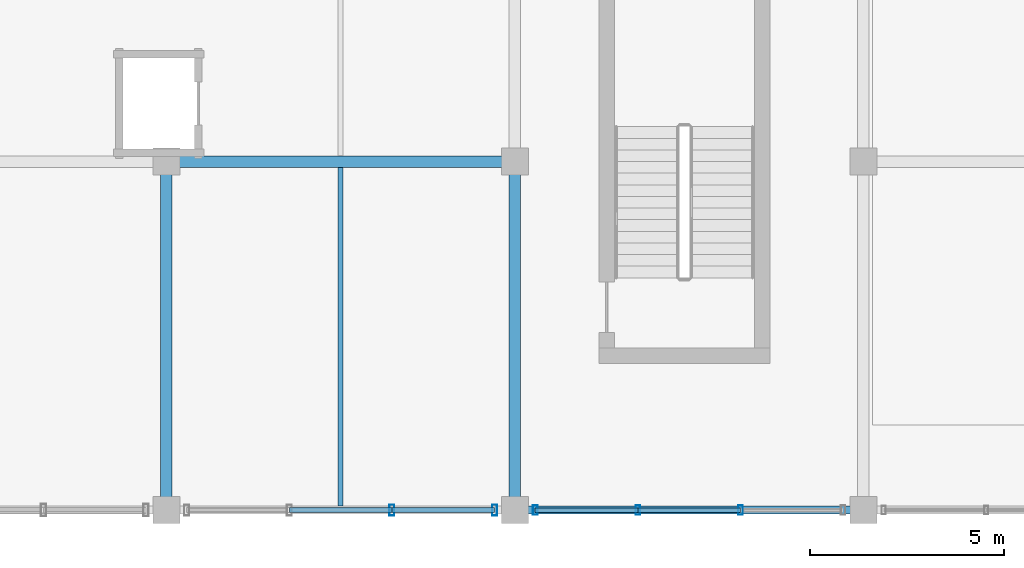
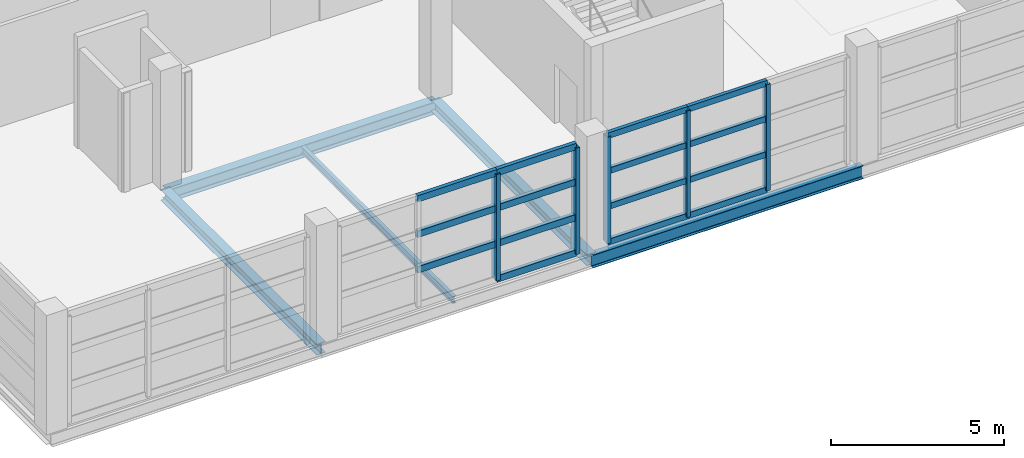
# One storey, part 58 of 136: 20 members, 5 beams, 2 elements without a shape of their own.
"""IFC4 building model written with IfcOpenShell, lengths in metres."""

from ifc_helpers import new_model, si_unit, direction, frame, origin, origin_2d, place, context, subcontext, project, spatial, hollow_rectangle, i_section, extrude, material, material_profile, profile_set, type_object, element, aggregate, save


model = new_model("IFC4")

# Units and contexts
model_context = context("Model", 3, precision=1e-05, world=origin(), true_north=direction((0.0, 1.0)))
body_context = subcontext(model_context, "Body", "Model", "MODEL_VIEW")
ifc_project = project(units=[si_unit("LENGTHUNIT", "METRE"), si_unit("AREAUNIT", "SQUARE_METRE"), si_unit("VOLUMEUNIT", "CUBIC_METRE"), si_unit("PLANEANGLEUNIT", "RADIAN"), si_unit("MASSUNIT", "GRAM", prefix="KILO")], contexts=[model_context])

# Site, building, storey
site_placement = place(None, origin())
site = spatial("IfcSite", under=ifc_project, at=site_placement, CompositionType="ELEMENT")
building_placement = place(site_placement, origin())
building = spatial("IfcBuilding", under=site, at=building_placement, Name="Chuanluo Vaults Station", CompositionType="ELEMENT")
storey_placement = place(building_placement, frame((0.0, 0.0, 6.60009765625)))
storey = spatial("IfcBuildingStorey", under=building, at=storey_placement, Name="L01", CompositionType="ELEMENT", Elevation=6.60009765625)

# Beams
ifc_material_1 = material(Name="Steel Q355C", Category="steel")
ifc_material_profile_1 = material_profile(ifc_material_1, i_section(OverallWidth=0.300048828125, OverallDepth=0.389892578125, WebThickness=0.010009765625, FlangeThickness=0.01611328125, FilletRadius=0.02001953125, at=origin_2d()))
ifc_profile_set_1 = profile_set([ifc_material_profile_1], Name="Steel Q355C")
beam_type_1 = type_object("IfcBeamType", Name="BM-GRD-400", PredefinedType="BEAM", material=ifc_profile_set_1)
for number, where, z_axis, x_axis, name in (
    (1, (145.0, 0.0, -0.43505859375), (0.0, 1.0, 0.0), (-1.0, 0.0, 0.0), "Floor girder BM:GY:L01:0466"),
    (2, (154.0, 0.0, -0.43505859375), (0.0, 1.0, 0.0), (-1.0, 0.0, 0.0), "Floor girder BM:GY:L01:0477"),
):
    element("IfcBeam", number, at=place(storey_placement, frame(where, z_axis=z_axis, x_axis=x_axis)), inside=storey, type_object=beam_type_1, Name=name, PredefinedType="BEAM", context=body_context, shape_type="SweptSolid", body=[
        extrude(i_section(OverallWidth=0.300048828125, OverallDepth=0.389892578125, WebThickness=0.010009765625, FlangeThickness=0.01611328125, FilletRadius=0.02001953125, at=origin_2d()), origin(), (0.0, 0.0, 1.0), 9.0),
    ])
ifc_material_2 = material(Name="Steel Q355C", Category="steel")
ifc_material_profile_2 = material_profile(ifc_material_2, i_section(OverallWidth=0.300048828125, OverallDepth=0.43994140625, WebThickness=0.010986328125, FlangeThickness=0.01806640625, FilletRadius=0.02001953125, at=origin_2d()))
ifc_profile_set_2 = profile_set([ifc_material_profile_2], Name="Steel Q355C")
beam_type_2 = type_object("IfcBeamType", Name="BM-GRD-450", PredefinedType="USERDEFINED", material=ifc_profile_set_2)
beam_1_placement = place(storey_placement, frame((145.0, 9.0, -0.460205078125), z_axis=(1.0, 0.0, 0.0), x_axis=(0.0, 1.0, 0.0)))
element("IfcBeam", 3, at=beam_1_placement, inside=storey, type_object=beam_type_2, Name="Floor girder BM:GX:L01:0288", ObjectType="GIRDER", PredefinedType="USERDEFINED", context=body_context, shape_type="SweptSolid", body=[
    extrude(i_section(OverallWidth=0.300048828125, OverallDepth=0.43994140625, WebThickness=0.010986328125, FlangeThickness=0.01806640625, FilletRadius=0.02001953125, at=origin_2d()), origin(), (0.0, 0.0, 1.0), 9.0),
])
ifc_material_3 = material(Name="Steel Q355C", Category="steel")
ifc_material_profile_3 = material_profile(ifc_material_3, i_section(OverallWidth=0.125, OverallDepth=0.25, WebThickness=0.006103515625, FlangeThickness=0.009033203125, FilletRadius=0.011962890625, at=origin_2d()))
ifc_profile_set_3 = profile_set([ifc_material_profile_3], Name="Steel Q355C")
beam_type_3 = type_object("IfcBeamType", Name="BM-SEC-250", PredefinedType="JOIST", material=ifc_profile_set_3)
beam_2_placement = place(storey_placement, frame((149.5, 0.107421875, -0.364990234375), z_axis=(0.0, 1.0, 0.0), x_axis=(-1.0, 0.0, 0.0)))
element("IfcBeam", 4, at=beam_2_placement, inside=storey, type_object=beam_type_3, Name="Composite secondary joist 0158", PredefinedType="JOIST", context=body_context, shape_type="SweptSolid", body=[
    extrude(i_section(OverallWidth=0.125, OverallDepth=0.25, WebThickness=0.006103515625, FlangeThickness=0.009033203125, FilletRadius=0.011962890625, at=origin_2d()), origin(), (0.0, 0.0, 1.0), 8.737548828125),
])
ifc_material_4 = material(Name="Steel Q355C", Category="steel")
ifc_material_profile_4 = material_profile(ifc_material_4, i_section(OverallWidth=0.205078125, OverallDepth=0.4599609375, WebThickness=0.009033203125, FlangeThickness=0.013916015625, FilletRadius=0.01611328125, at=origin_2d()))
ifc_profile_set_4 = profile_set([ifc_material_profile_4], Name="Steel Q355C")
beam_type_4 = type_object("IfcBeamType", Name="BM-SPN-450", PredefinedType="SPANDREL", material=ifc_profile_set_4)
beam_3_placement = place(storey_placement, frame((154.0, 0.0, -0.47021484375), z_axis=(1.0, 0.0, 0.0), x_axis=(0.0, 1.0, 0.0)))
element("IfcBeam", 5, at=beam_3_placement, inside=storey, type_object=beam_type_4, Name="Floor girder BM:GX:L01:0282", PredefinedType="SPANDREL", context=body_context, shape_type="SweptSolid", body=[
    extrude(i_section(OverallWidth=0.205078125, OverallDepth=0.4599609375, WebThickness=0.009033203125, FlangeThickness=0.013916015625, FilletRadius=0.01611328125, at=origin_2d()), origin(), (0.0, 0.0, 1.0), 9.0),
])

# Curtain wall, members
ifc_material_5 = material(Name="Anodised aluminium 6063-T6", Category="aluminium")
curtain_wall_type_1 = type_object("IfcCurtainWallType", Name="CW-SYS-11", PredefinedType="NOTDEFINED", material=ifc_material_5)
curtain_wall_1_placement = place(storey_placement, origin())
curtain_wall_1 = element("IfcCurtainWall", 6, at=curtain_wall_1_placement, inside=storey, type_object=curtain_wall_type_1, Name="Retail pavilion L01 facade CW", PredefinedType="NOTDEFINED")
ifc_material_6 = material(Name="Anodised aluminium 6063-T6", Category="aluminium")
ifc_material_profile_5 = material_profile(ifc_material_6, hollow_rectangle(XDim=0.1201171875, YDim=0.25, WallThickness=0.006103515625, at=origin_2d()))
ifc_profile_set_5 = profile_set([ifc_material_profile_5], Name="Anodised aluminium 6063-T6")
member_type_1 = type_object("IfcMemberType", Name="CWM-160", PredefinedType="MULLION", material=ifc_profile_set_5)
member_1_placement = place(storey_placement, frame((159.824951171875, 0.0, 0.0), z_axis=(0.0, 0.0, 1.0), x_axis=(-1.0, 0.0, 0.0)))
member_1 = element("IfcMember", 7, at=member_1_placement, type_object=member_type_1, Name="Retail pavilion L01 facade CW mullion 2", PredefinedType="MULLION", context=body_context, shape_type="SweptSolid", body=[
    extrude(hollow_rectangle(XDim=0.1201171875, YDim=0.25, WallThickness=0.006103515625, at=origin_2d()), origin(), (0.0, 0.0, 1.0), 3.75),
])
member_2_placement = place(storey_placement, frame((157.175048828125, 0.0, 0.0), z_axis=(0.0, 0.0, 1.0), x_axis=(-1.0, 0.0, 0.0)))
member_2 = element("IfcMember", 8, at=member_2_placement, type_object=member_type_1, Name="Retail pavilion L01 facade CW mullion 3", PredefinedType="MULLION", context=body_context, shape_type="SweptSolid", body=[
    extrude(hollow_rectangle(XDim=0.1201171875, YDim=0.25, WallThickness=0.006103515625, at=origin_2d()), origin(), (0.0, 0.0, 1.0), 3.75),
])
member_3_placement = place(storey_placement, frame((154.52490234375, 0.0, 0.0), z_axis=(0.0, 0.0, 1.0), x_axis=(-1.0, 0.0, 0.0)))
member_3 = element("IfcMember", 9, at=member_3_placement, type_object=member_type_1, Name="Retail pavilion L01 facade CW mullion 4", PredefinedType="MULLION", context=body_context, shape_type="SweptSolid", body=[
    extrude(hollow_rectangle(XDim=0.1201171875, YDim=0.25, WallThickness=0.006103515625, at=origin_2d()), origin(), (0.0, 0.0, 1.0), 3.75),
])

ifc_material_7 = material(Name="Anodised aluminium 6063-T6", Category="aluminium")
curtain_wall_type_2 = type_object("IfcCurtainWallType", Name="CW-SYS-10", PredefinedType="NOTDEFINED", material=ifc_material_7)
curtain_wall_2_placement = place(storey_placement, origin())
curtain_wall_2 = element("IfcCurtainWall", 10, at=curtain_wall_2_placement, inside=storey, type_object=curtain_wall_type_2, Name="Retail pavilion L01 facade CW", PredefinedType="NOTDEFINED")
ifc_material_8 = material(Name="Anodised aluminium 6063-T6", Category="aluminium")
ifc_material_profile_6 = material_profile(ifc_material_8, hollow_rectangle(XDim=0.1298828125, YDim=0.280029296875, WallThickness=0.007080078125, at=origin_2d()))
ifc_profile_set_6 = profile_set([ifc_material_profile_6], Name="Anodised aluminium 6063-T6")
member_type_2 = type_object("IfcMemberType", Name="CWM-180", PredefinedType="MULLION", material=ifc_profile_set_6)
member_4_placement = place(storey_placement, frame((153.47509765625, 0.0, 0.0), z_axis=(0.0, 0.0, 1.0), x_axis=(-1.0, 0.0, 0.0)))
member_4 = element("IfcMember", 11, at=member_4_placement, type_object=member_type_2, Name="Retail pavilion L01 facade CW mullion 1", PredefinedType="MULLION", context=body_context, shape_type="SweptSolid", body=[
    extrude(hollow_rectangle(XDim=0.1298828125, YDim=0.280029296875, WallThickness=0.007080078125, at=origin_2d()), origin(), (0.0, 0.0, 1.0), 3.75),
])
member_5_placement = place(storey_placement, frame((150.824951171875, 0.0, 0.0), z_axis=(0.0, 0.0, 1.0), x_axis=(-1.0, 0.0, 0.0)))
member_5 = element("IfcMember", 12, at=member_5_placement, type_object=member_type_2, Name="Retail pavilion L01 facade CW mullion 2", PredefinedType="MULLION", context=body_context, shape_type="SweptSolid", body=[
    extrude(hollow_rectangle(XDim=0.1298828125, YDim=0.280029296875, WallThickness=0.007080078125, at=origin_2d()), origin(), (0.0, 0.0, 1.0), 3.75),
])

# Member
ifc_material_9 = material(Name="Anodised aluminium 6063-T6", Category="aluminium")
ifc_material_profile_7 = material_profile(ifc_material_9, hollow_rectangle(XDim=0.1201171875, YDim=0.205078125, WallThickness=0.006103515625, at=origin_2d()))
ifc_profile_set_7 = profile_set([ifc_material_profile_7], Name="Anodised aluminium 6063-T6")
member_type_3 = type_object("IfcMemberType", Name="CWT-130", PredefinedType="USERDEFINED", material=ifc_profile_set_7)
member_6_placement = place(storey_placement, frame((159.824951171875, 0.0, 0.0), z_axis=(-1.0, 0.0, 0.0), x_axis=(0.0, -1.0, 0.0)))
member_6 = element("IfcMember", 13, at=member_6_placement, type_object=member_type_3, Name="Retail pavilion L01 facade CW transom 2.1", ObjectType="TRANSOM", PredefinedType="USERDEFINED", context=body_context, shape_type="SweptSolid", body=[
    extrude(hollow_rectangle(XDim=0.1201171875, YDim=0.205078125, WallThickness=0.006103515625, at=origin_2d()), origin(), (0.0, 0.0, 1.0), 2.64990234375),
])

member_7_placement = place(storey_placement, frame((159.824951171875, 0.0, 1.25), z_axis=(-1.0, 0.0, 0.0), x_axis=(0.0, -1.0, 0.0)))
member_7 = element("IfcMember", 14, at=member_7_placement, type_object=member_type_3, Name="Retail pavilion L01 facade CW transom 2.2", ObjectType="TRANSOM", PredefinedType="USERDEFINED", context=body_context, shape_type="SweptSolid", body=[
    extrude(hollow_rectangle(XDim=0.1201171875, YDim=0.205078125, WallThickness=0.006103515625, at=origin_2d()), origin(), (0.0, 0.0, 1.0), 2.64990234375),
])

member_8_placement = place(storey_placement, frame((159.824951171875, 0.0, 2.5), z_axis=(-1.0, 0.0, 0.0), x_axis=(0.0, -1.0, 0.0)))
member_8 = element("IfcMember", 15, at=member_8_placement, type_object=member_type_3, Name="Retail pavilion L01 facade CW transom 2.3", ObjectType="TRANSOM", PredefinedType="USERDEFINED", context=body_context, shape_type="SweptSolid", body=[
    extrude(hollow_rectangle(XDim=0.1201171875, YDim=0.205078125, WallThickness=0.006103515625, at=origin_2d()), origin(), (0.0, 0.0, 1.0), 2.64990234375),
])

member_9_placement = place(storey_placement, frame((159.824951171875, 0.0, 3.75), z_axis=(-1.0, 0.0, 0.0), x_axis=(0.0, -1.0, 0.0)))
member_9 = element("IfcMember", 16, at=member_9_placement, type_object=member_type_3, Name="Retail pavilion L01 facade CW transom 2.4", ObjectType="TRANSOM", PredefinedType="USERDEFINED", context=body_context, shape_type="SweptSolid", body=[
    extrude(hollow_rectangle(XDim=0.1201171875, YDim=0.205078125, WallThickness=0.006103515625, at=origin_2d()), origin(), (0.0, 0.0, 1.0), 2.64990234375),
])

member_10_placement = place(storey_placement, frame((157.175048828125, 0.0, 0.0), z_axis=(-1.0, 0.0, 0.0), x_axis=(0.0, -1.0, 0.0)))
member_10 = element("IfcMember", 17, at=member_10_placement, type_object=member_type_3, Name="Retail pavilion L01 facade CW transom 3.1", ObjectType="TRANSOM", PredefinedType="USERDEFINED", context=body_context, shape_type="SweptSolid", body=[
    extrude(hollow_rectangle(XDim=0.1201171875, YDim=0.205078125, WallThickness=0.006103515625, at=origin_2d()), origin(), (0.0, 0.0, 1.0), 2.650146484375),
])

member_11_placement = place(storey_placement, frame((157.175048828125, 0.0, 1.25), z_axis=(-1.0, 0.0, 0.0), x_axis=(0.0, -1.0, 0.0)))
member_11 = element("IfcMember", 18, at=member_11_placement, type_object=member_type_3, Name="Retail pavilion L01 facade CW transom 3.2", ObjectType="TRANSOM", PredefinedType="USERDEFINED", context=body_context, shape_type="SweptSolid", body=[
    extrude(hollow_rectangle(XDim=0.1201171875, YDim=0.205078125, WallThickness=0.006103515625, at=origin_2d()), origin(), (0.0, 0.0, 1.0), 2.650146484375),
])

member_12_placement = place(storey_placement, frame((157.175048828125, 0.0, 2.5), z_axis=(-1.0, 0.0, 0.0), x_axis=(0.0, -1.0, 0.0)))
member_12 = element("IfcMember", 19, at=member_12_placement, type_object=member_type_3, Name="Retail pavilion L01 facade CW transom 3.3", ObjectType="TRANSOM", PredefinedType="USERDEFINED", context=body_context, shape_type="SweptSolid", body=[
    extrude(hollow_rectangle(XDim=0.1201171875, YDim=0.205078125, WallThickness=0.006103515625, at=origin_2d()), origin(), (0.0, 0.0, 1.0), 2.650146484375),
])

member_13_placement = place(storey_placement, frame((157.175048828125, 0.0, 3.75), z_axis=(-1.0, 0.0, 0.0), x_axis=(0.0, -1.0, 0.0)))
member_13 = element("IfcMember", 20, at=member_13_placement, type_object=member_type_3, Name="Retail pavilion L01 facade CW transom 3.4", ObjectType="TRANSOM", PredefinedType="USERDEFINED", context=body_context, shape_type="SweptSolid", body=[
    extrude(hollow_rectangle(XDim=0.1201171875, YDim=0.205078125, WallThickness=0.006103515625, at=origin_2d()), origin(), (0.0, 0.0, 1.0), 2.650146484375),
])

aggregate(curtain_wall_1, [member_1, member_2, member_3, member_6, member_7, member_8, member_9, member_10, member_11, member_12, member_13])

ifc_material_10 = material(Name="Anodised aluminium 6063-T6", Category="aluminium")
ifc_material_profile_8 = material_profile(ifc_material_10, hollow_rectangle(XDim=0.1298828125, YDim=0.22998046875, WallThickness=0.006103515625, at=origin_2d()))
ifc_profile_set_8 = profile_set([ifc_material_profile_8], Name="Anodised aluminium 6063-T6")
member_type_4 = type_object("IfcMemberType", Name="CWT-150", PredefinedType="USERDEFINED", material=ifc_profile_set_8)
member_14_placement = place(storey_placement, frame((153.47509765625, 0.0, 0.0), z_axis=(-1.0, 0.0, 0.0), x_axis=(0.0, -1.0, 0.0)))
member_14 = element("IfcMember", 21, at=member_14_placement, type_object=member_type_4, Name="Retail pavilion L01 facade CW transom 1.1", ObjectType="TRANSOM", PredefinedType="USERDEFINED", context=body_context, shape_type="SweptSolid", body=[
    extrude(hollow_rectangle(XDim=0.1298828125, YDim=0.22998046875, WallThickness=0.006103515625, at=origin_2d()), origin(), (0.0, 0.0, 1.0), 2.650146484375),
])

member_15_placement = place(storey_placement, frame((153.47509765625, 0.0, 1.25), z_axis=(-1.0, 0.0, 0.0), x_axis=(0.0, -1.0, 0.0)))
member_15 = element("IfcMember", 22, at=member_15_placement, type_object=member_type_4, Name="Retail pavilion L01 facade CW transom 1.2", ObjectType="TRANSOM", PredefinedType="USERDEFINED", context=body_context, shape_type="SweptSolid", body=[
    extrude(hollow_rectangle(XDim=0.1298828125, YDim=0.22998046875, WallThickness=0.006103515625, at=origin_2d()), origin(), (0.0, 0.0, 1.0), 2.650146484375),
])

member_16_placement = place(storey_placement, frame((153.47509765625, 0.0, 2.5), z_axis=(-1.0, 0.0, 0.0), x_axis=(0.0, -1.0, 0.0)))
member_16 = element("IfcMember", 23, at=member_16_placement, type_object=member_type_4, Name="Retail pavilion L01 facade CW transom 1.3", ObjectType="TRANSOM", PredefinedType="USERDEFINED", context=body_context, shape_type="SweptSolid", body=[
    extrude(hollow_rectangle(XDim=0.1298828125, YDim=0.22998046875, WallThickness=0.006103515625, at=origin_2d()), origin(), (0.0, 0.0, 1.0), 2.650146484375),
])

member_17_placement = place(storey_placement, frame((153.47509765625, 0.0, 3.75), z_axis=(-1.0, 0.0, 0.0), x_axis=(0.0, -1.0, 0.0)))
member_17 = element("IfcMember", 24, at=member_17_placement, type_object=member_type_4, Name="Retail pavilion L01 facade CW transom 1.4", ObjectType="TRANSOM", PredefinedType="USERDEFINED", context=body_context, shape_type="SweptSolid", body=[
    extrude(hollow_rectangle(XDim=0.1298828125, YDim=0.22998046875, WallThickness=0.006103515625, at=origin_2d()), origin(), (0.0, 0.0, 1.0), 2.650146484375),
])

member_18_placement = place(storey_placement, frame((150.824951171875, 0.0, 1.25), z_axis=(-1.0, 0.0, 0.0), x_axis=(0.0, -1.0, 0.0)))
member_18 = element("IfcMember", 25, at=member_18_placement, type_object=member_type_4, Name="Retail pavilion L01 facade CW transom 2.2", ObjectType="TRANSOM", PredefinedType="USERDEFINED", context=body_context, shape_type="SweptSolid", body=[
    extrude(hollow_rectangle(XDim=0.1298828125, YDim=0.22998046875, WallThickness=0.006103515625, at=origin_2d()), origin(), (0.0, 0.0, 1.0), 2.64990234375),
])

member_19_placement = place(storey_placement, frame((150.824951171875, 0.0, 2.5), z_axis=(-1.0, 0.0, 0.0), x_axis=(0.0, -1.0, 0.0)))
member_19 = element("IfcMember", 26, at=member_19_placement, type_object=member_type_4, Name="Retail pavilion L01 facade CW transom 2.3", ObjectType="TRANSOM", PredefinedType="USERDEFINED", context=body_context, shape_type="SweptSolid", body=[
    extrude(hollow_rectangle(XDim=0.1298828125, YDim=0.22998046875, WallThickness=0.006103515625, at=origin_2d()), origin(), (0.0, 0.0, 1.0), 2.64990234375),
])

member_20_placement = place(storey_placement, frame((150.824951171875, 0.0, 3.75), z_axis=(-1.0, 0.0, 0.0), x_axis=(0.0, -1.0, 0.0)))
member_20 = element("IfcMember", 27, at=member_20_placement, type_object=member_type_4, Name="Retail pavilion L01 facade CW transom 2.4", ObjectType="TRANSOM", PredefinedType="USERDEFINED", context=body_context, shape_type="SweptSolid", body=[
    extrude(hollow_rectangle(XDim=0.1298828125, YDim=0.22998046875, WallThickness=0.006103515625, at=origin_2d()), origin(), (0.0, 0.0, 1.0), 2.64990234375),
])

aggregate(curtain_wall_2, [member_4, member_5, member_14, member_15, member_16, member_17, member_18, member_19, member_20])

save(model, "model.ifc")
